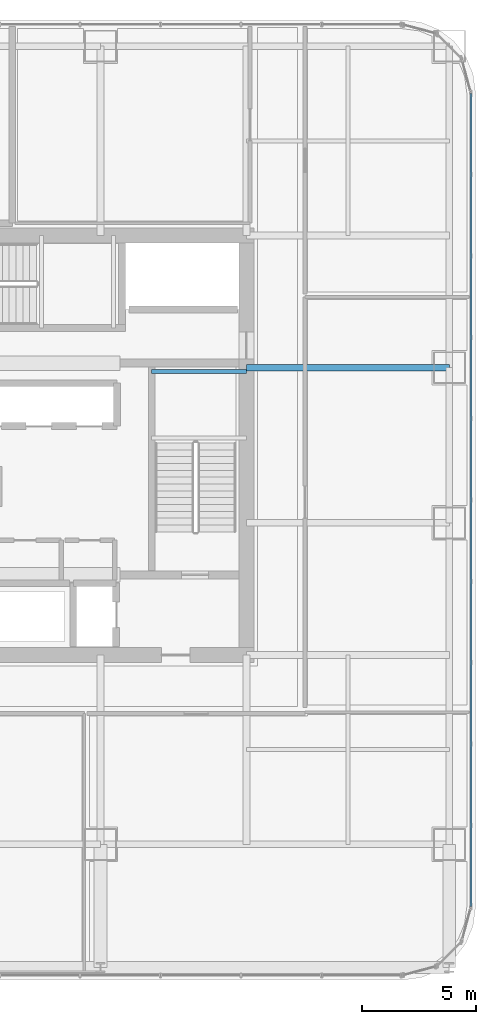
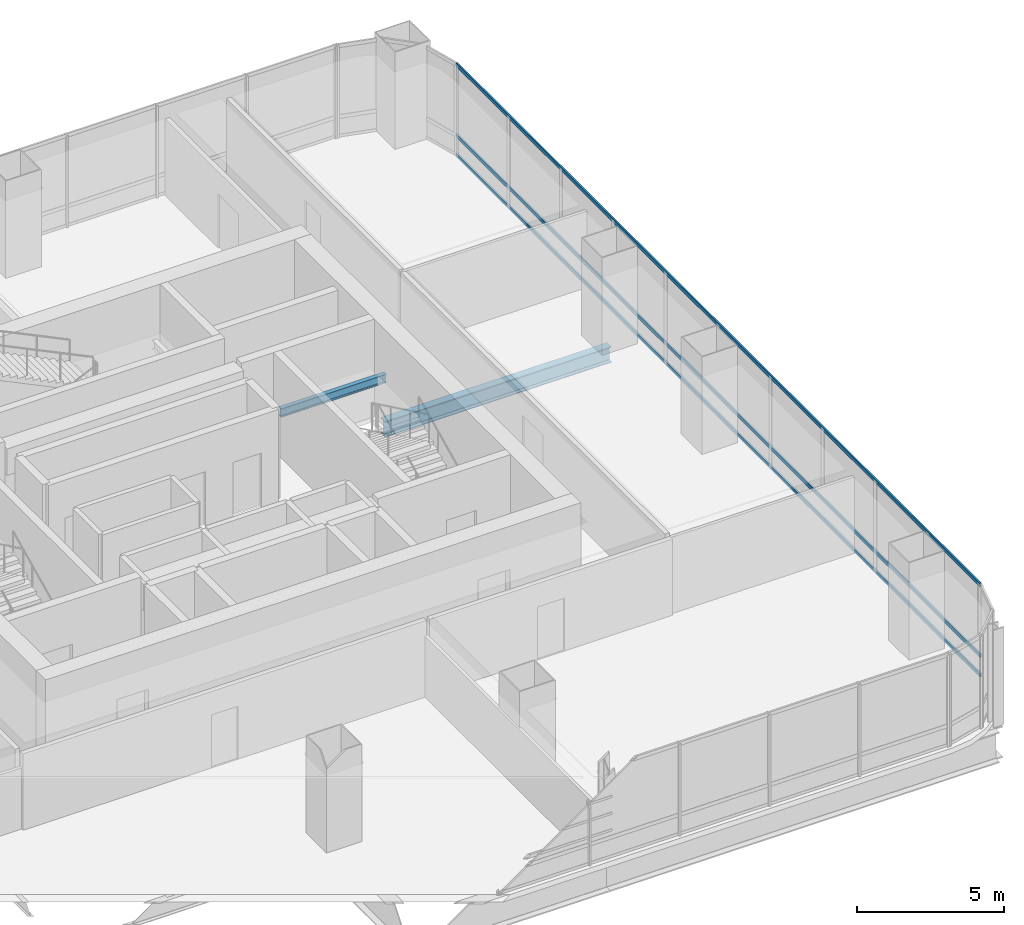
# One storey, part 16 of 36: 3 members, 2 beams, 1 element without a shape of its own.
"""IFC4 building model written with IfcOpenShell, lengths in metres."""

from ifc_helpers import new_model, si_unit, direction, frame, origin, origin_2d, place, context, subcontext, project, spatial, hollow_rectangle, i_section, extrude, material, material_profile, profile_set, type_object, element, aggregate, save


model = new_model("IFC4")

# Units and contexts
model_context = context("Model", 3, precision=1e-05, world=origin(), true_north=direction((0.0, 1.0)))
body_context = subcontext(model_context, "Body", "Model", "MODEL_VIEW")
ifc_project = project(units=[si_unit("LENGTHUNIT", "METRE"), si_unit("AREAUNIT", "SQUARE_METRE"), si_unit("VOLUMEUNIT", "CUBIC_METRE"), si_unit("PLANEANGLEUNIT", "RADIAN"), si_unit("MASSUNIT", "GRAM", prefix="KILO")], contexts=[model_context])

# Site, building, storey
site_placement = place(None, origin())
site = spatial("IfcSite", under=ifc_project, at=site_placement, CompositionType="ELEMENT")
building_placement = place(site_placement, origin())
building = spatial("IfcBuilding", under=site, at=building_placement, Name="Punatoya Terracotta Tower", CompositionType="ELEMENT")
storey_placement = place(building_placement, frame((0.0, 0.0, 176.25)))
storey = spatial("IfcBuildingStorey", under=building, at=storey_placement, Name="L41", CompositionType="ELEMENT", Elevation=176.25)

# Beams
ifc_material_1 = material(Name="Steel S355", Category="steel")
ifc_material_profile_1 = material_profile(ifc_material_1, i_section(OverallWidth=0.300048828125, OverallDepth=0.64990234375, WebThickness=0.01611328125, FlangeThickness=0.031005859375, FilletRadius=0.01806640625, at=origin_2d()))
ifc_profile_set_1 = profile_set([ifc_material_profile_1], Name="Steel S355")
beam_type_1 = type_object("IfcBeamType", Name="BM-PRI-650", PredefinedType="BEAM", material=ifc_profile_set_1)
beam_1_placement = place(storey_placement, frame((10.199951171875, 3.39990234375, -0.544921875), z_axis=(1.0, 0.0, 0.0), x_axis=(0.0, 1.0, 0.0)))
element("IfcBeam", 1, at=beam_1_placement, inside=storey, type_object=beam_type_1, Name="BM-L41-PR-EE", PredefinedType="BEAM", context=body_context, shape_type="SweptSolid", body=[
    extrude(i_section(OverallWidth=0.300048828125, OverallDepth=0.64990234375, WebThickness=0.01611328125, FlangeThickness=0.031005859375, FilletRadius=0.01806640625, at=origin_2d()), origin(), (0.0, 0.0, 1.0), 8.900146484375),
])
ifc_material_profile_2 = material_profile(ifc_material_1, i_section(OverallWidth=0.169921875, OverallDepth=0.360107421875, WebThickness=0.008056640625, FlangeThickness=0.0126953125, FilletRadius=0.01806640625, at=origin_2d()))
ifc_profile_set_2 = profile_set([ifc_material_profile_2], Name="Steel S355")
beam_type_2 = type_object("IfcBeamType", Name="BM-SEC-360", PredefinedType="JOIST", material=ifc_profile_set_2)
beam_2_placement = place(storey_placement, frame((6.050048828125, 3.22998046875, 1.64501953125), z_axis=(1.0, 0.0, 0.0), x_axis=(0.0, 1.0, 0.0)))
element("IfcBeam", 2, at=beam_2_placement, inside=storey, type_object=beam_type_2, Name="BM-L41-ST-2-LD1B", PredefinedType="JOIST", context=body_context, shape_type="SweptSolid", body=[
    extrude(i_section(OverallWidth=0.169921875, OverallDepth=0.360107421875, WebThickness=0.008056640625, FlangeThickness=0.0126953125, FilletRadius=0.01806640625, at=origin_2d()), origin(), (0.0, 0.0, 1.0), 4.14990234375),
])

# Curtain wall, members
ifc_material_2 = material(Name="Aluminium 6063-T6 + Double Low-E Glass", Category="aluminium")
curtain_wall_type = type_object("IfcCurtainWallType", Name="CW-M2", PredefinedType="NOTDEFINED", material=ifc_material_2)
curtain_wall_placement = place(storey_placement, origin())
curtain_wall = element("IfcCurtainWall", 3, at=curtain_wall_placement, inside=storey, type_object=curtain_wall_type, Name="L41 Curtain Wall CW-L41-E05-1", PredefinedType="NOTDEFINED")
ifc_material_3 = material(Name="Aluminium 6063-T6", Category="aluminium")
ifc_material_profile_3 = material_profile(ifc_material_3, hollow_rectangle(XDim=0.068115234375, YDim=0.14990234375, WallThickness=0.00390625, at=origin_2d()))
ifc_profile_set_3 = profile_set([ifc_material_profile_3], Name="Aluminium 6063-T6")
member_type = type_object("IfcMemberType", Name="CW-TRN-TYP", PredefinedType="USERDEFINED", material=ifc_profile_set_3)
member_1_placement = place(storey_placement, frame((20.050048828125, -20.23681640625, 0.0400390625), z_axis=(0.0, 1.0, 0.0), x_axis=(-1.0, 0.0, 0.0)))
member_1 = element("IfcMember", 4, at=member_1_placement, type_object=member_type, Name="CW-L41-E05-1 Transom 1", ObjectType="TRANSOM", PredefinedType="USERDEFINED", context=body_context, shape_type="SweptSolid", body=[
    extrude(hollow_rectangle(XDim=0.068115234375, YDim=0.14990234375, WallThickness=0.00390625, at=origin_2d()), origin(), (0.0, 0.0, 1.0), 35.673828125),
])
member_2_placement = place(storey_placement, frame((20.050048828125, -20.23681640625, 0.85009765625), z_axis=(0.0, 1.0, 0.0), x_axis=(-1.0, 0.0, 0.0)))
member_2 = element("IfcMember", 5, at=member_2_placement, type_object=member_type, Name="CW-L41-E05-1 Transom 2", ObjectType="TRANSOM", PredefinedType="USERDEFINED", context=body_context, shape_type="SweptSolid", body=[
    extrude(hollow_rectangle(XDim=0.068115234375, YDim=0.14990234375, WallThickness=0.00390625, at=origin_2d()), origin(), (0.0, 0.0, 1.0), 35.673828125),
])
member_3_placement = place(storey_placement, frame((20.050048828125, -20.23681640625, 3.7900390625), z_axis=(0.0, 1.0, 0.0), x_axis=(-1.0, 0.0, 0.0)))
member_3 = element("IfcMember", 6, at=member_3_placement, type_object=member_type, Name="CW-L41-E05-1 Transom 3", ObjectType="TRANSOM", PredefinedType="USERDEFINED", context=body_context, shape_type="SweptSolid", body=[
    extrude(hollow_rectangle(XDim=0.068115234375, YDim=0.14990234375, WallThickness=0.00390625, at=origin_2d()), origin(), (0.0, 0.0, 1.0), 35.673828125),
])
aggregate(curtain_wall, [member_1, member_2, member_3])

save(model, "model.ifc")
